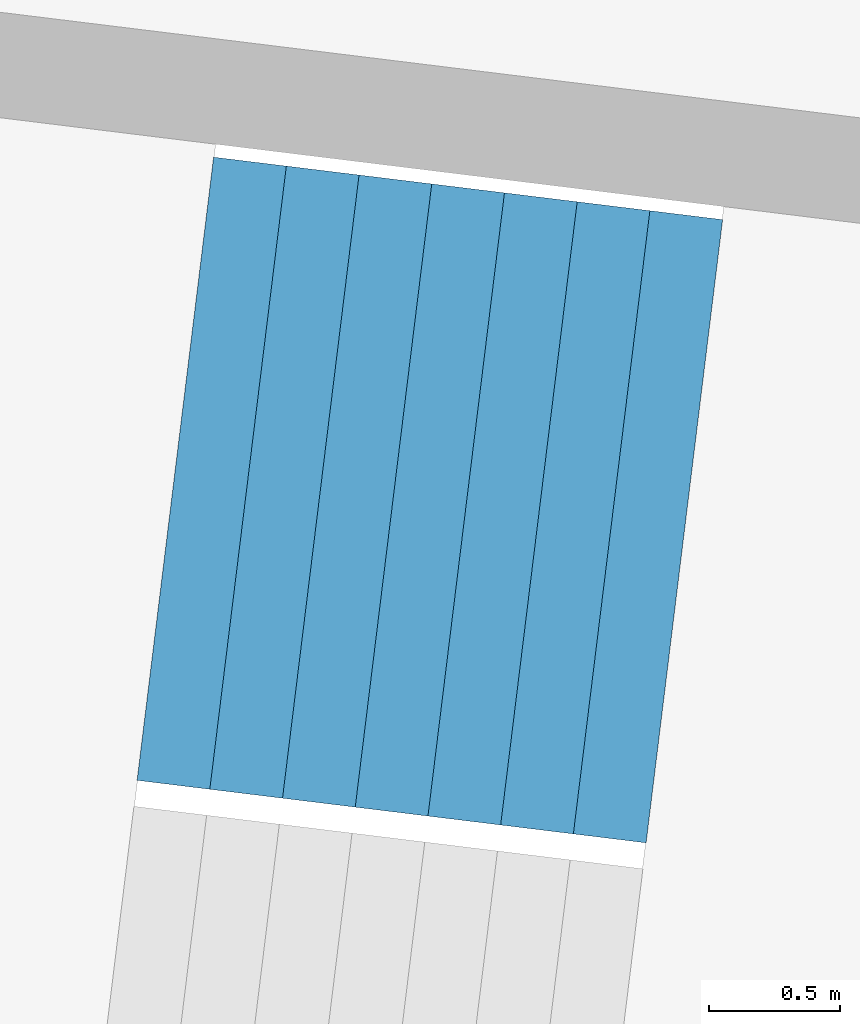
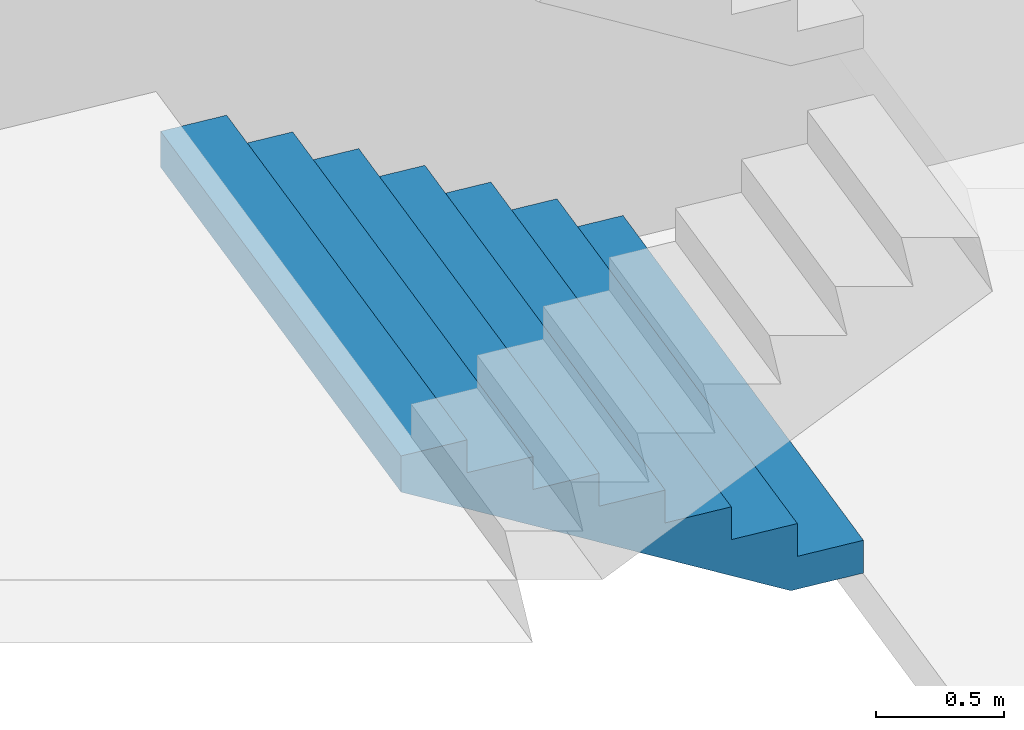
# One storey, part 29 of 73: 1 stair flight, 1 element without a shape of its own.
"""IFC4 building model written with IfcOpenShell, lengths in metres."""

from ifc_helpers import new_model, si_unit, direction, frame, origin, place, context, subcontext, project, spatial, triangles, material, type_object, element, aggregate, save


model = new_model("IFC4")

# Units and contexts
model_context = context("Model", 3, precision=1e-05, world=origin(), true_north=direction((0.0, 1.0)))
body_context = subcontext(model_context, "Body", "Model", "MODEL_VIEW")
ifc_project = project(units=[si_unit("LENGTHUNIT", "METRE"), si_unit("AREAUNIT", "SQUARE_METRE"), si_unit("VOLUMEUNIT", "CUBIC_METRE"), si_unit("PLANEANGLEUNIT", "RADIAN"), si_unit("MASSUNIT", "GRAM", prefix="KILO")], contexts=[model_context])

# Site, building, storey
site_placement = place(None, origin())
site = spatial("IfcSite", under=ifc_project, at=site_placement, CompositionType="ELEMENT")
building_placement = place(site_placement, origin())
building = spatial("IfcBuilding", under=site, at=building_placement, Name="Lantaw Convention Tower", CompositionType="ELEMENT")
storey_placement = place(building_placement, frame((0.0, 0.0, 27.0)))
storey = spatial("IfcBuildingStorey", under=building, at=storey_placement, Name="L04", CompositionType="ELEMENT", Elevation=27.0)

# Stair, stair flight
ifc_material = material(Name="Concrete C35/45", Category="concrete")
stair_type = type_object("IfcStairType", Name="Exit stair 2400 riser 156.25 in 4 flights", PredefinedType="HALF_TURN_STAIR", material=ifc_material)
stair_placement = place(storey_placement, origin())
stair = element("IfcStair", 1, at=stair_placement, inside=storey, type_object=stair_type, Name="Podium exit stair P9 L04", PredefinedType="HALF_TURN_STAIR")
stair_flight_type = type_object("IfcStairFlightType", Name="Stair flight 2400 riser 156.25", PredefinedType="STRAIGHT", material=ifc_material)
stair_flight_placement = place(storey_placement, frame((-37.9716796875, 5.921630859375, 0.0), z_axis=(0.0, 0.0, 1.0), x_axis=(-0.992546151641, 0.121869343405, 0.0)))
stair_flight = element("IfcStairFlight", 2, at=stair_flight_placement, type_object=stair_flight_type, Name="P9 flight 1", NumberOfRisers=8, NumberOfTreads=7, PredefinedType="STRAIGHT", RiserHeight=0.15625, TreadLength=0.28, context=body_context, shape_type="Tessellation", body=[
    triangles([(0.0, 1.199951171875, 0.0), (0.0, 1.199951171875, 0.15625), (0.28, 1.199951171875, 0.0), (0.28, 1.199951171875, 0.15625), (0.28, 1.199951171875, 0.3125), (0.3076200632058044, 1.199951171875, 0.0), (0.3076200632058044, 1.199951171875, 0.3125), (0.56, 1.199951171875, 0.14083701830033238), (0.56, 1.199951171875, 0.3125), (0.56, 1.199951171875, 0.46875), (0.8400000000000001, 1.199951171875, 0.29708701830033235), (0.8400000000000001, 1.199951171875, 0.46875), (0.8400000000000001, 1.199951171875, 0.625), (1.12, 1.199951171875, 0.45333701830033235), (1.12, 1.199951171875, 0.625), (1.12, 1.199951171875, 0.78125), (1.4000000000000001, 1.199951171875, 0.6095870183003324), (1.4000000000000001, 1.199951171875, 0.78125), (1.4000000000000001, 1.199951171875, 0.9375), (1.6800000000000002, 1.199951171875, 0.7658370183003324), (1.6800000000000002, 1.199951171875, 0.9375), (1.6800000000000002, 1.199951171875, 1.09375), (1.9600000000000002, 1.199951171875, 0.9220870183003324), (1.9600000000000002, 1.199951171875, 1.09375), (0.0, -1.199951171875, 0.0), (0.0, -1.199951171875, 0.15625), (0.28, -1.199951171875, 0.0), (0.28, -1.199951171875, 0.15625), (0.28, -1.199951171875, 0.3125), (0.3076200632058044, -1.199951171875, 0.0), (0.3076200632058044, -1.199951171875, 0.3125), (0.56, -1.199951171875, 0.14083701830033238), (0.56, -1.199951171875, 0.3125), (0.56, -1.199951171875, 0.46875), (0.8400000000000001, -1.199951171875, 0.29708701830033235), (0.8400000000000001, -1.199951171875, 0.46875), (0.8400000000000001, -1.199951171875, 0.625), (1.12, -1.199951171875, 0.45333701830033235), (1.12, -1.199951171875, 0.625), (1.12, -1.199951171875, 0.78125), (1.4000000000000001, -1.199951171875, 0.6095870183003324), (1.4000000000000001, -1.199951171875, 0.78125), (1.4000000000000001, -1.199951171875, 0.9375), (1.6800000000000002, -1.199951171875, 0.7658370183003324), (1.6800000000000002, -1.199951171875, 0.9375), (1.6800000000000002, -1.199951171875, 1.09375), (1.9600000000000002, -1.199951171875, 0.9220870183003324), (1.9600000000000002, -1.199951171875, 1.09375), (0.0, 0.239990234375, 0.15625), (0.0, 0.239990234375, 0.0), (0.0, 0.1919921875, 0.15625), (0.0, 0.1919921875, 0.0), (0.0, 0.143994140625, 0.15625), (0.0, 0.143994140625, 0.0), (0.0, 0.09599609375, 0.15625), (0.0, 0.09599609375, 0.0), (0.0, 0.047998046875, 0.15625), (0.0, 0.047998046875, 0.0), (0.0, 0.0, 0.15625), (0.0, 0.0, 0.0), (0.0, -0.047998046875, 0.15625), (0.0, -0.047998046875, 0.0), (0.0, -0.09599609375, 0.15625), (0.0, -0.09599609375, 0.0), (0.0, -0.143994140625, 0.15625), (0.0, -0.143994140625, 0.0), (0.0, -0.1919921875, 0.15625), (0.0, -0.1919921875, 0.0), (0.0, -0.239990234375, 0.15625), (0.0, -0.239990234375, 0.0), (0.28, 0.239990234375, 0.3125), (0.28, 0.239990234375, 0.15625), (0.28, 0.1919921875, 0.3125), (0.28, 0.1919921875, 0.15625), (0.28, 0.143994140625, 0.3125), (0.28, 0.143994140625, 0.15625), (0.28, 0.09599609375, 0.3125), (0.28, 0.09599609375, 0.15625), (0.28, 0.047998046875, 0.3125), (0.28, 0.047998046875, 0.15625), (0.28, 0.0, 0.3125), (0.28, 0.0, 0.15625), (0.28, -0.047998046875, 0.3125), (0.28, -0.047998046875, 0.15625), (0.28, -0.09599609375, 0.3125), (0.28, -0.09599609375, 0.15625), (0.28, -0.143994140625, 0.3125), (0.28, -0.143994140625, 0.15625), (0.28, -0.1919921875, 0.3125), (0.28, -0.1919921875, 0.15625), (0.28, -0.239990234375, 0.3125), (0.28, -0.239990234375, 0.15625), (0.56, 0.239990234375, 0.46875), (0.56, 0.239990234375, 0.3125), (0.56, 0.1919921875, 0.46875), (0.56, 0.1919921875, 0.3125), (0.56, 0.143994140625, 0.46875), (0.56, 0.143994140625, 0.3125), (0.56, 0.09599609375, 0.46875), (0.56, 0.09599609375, 0.3125), (0.56, 0.047998046875, 0.46875), (0.56, 0.047998046875, 0.3125), (0.56, 0.0, 0.46875), (0.56, 0.0, 0.3125), (0.56, -0.047998046875, 0.46875), (0.56, -0.047998046875, 0.3125), (0.56, -0.09599609375, 0.46875), (0.56, -0.09599609375, 0.3125), (0.56, -0.143994140625, 0.46875), (0.56, -0.143994140625, 0.3125), (0.56, -0.1919921875, 0.46875), (0.56, -0.1919921875, 0.3125), (0.56, -0.239990234375, 0.46875), (0.56, -0.239990234375, 0.3125), (0.8400000000000001, 0.239990234375, 0.625), (0.8400000000000001, 0.239990234375, 0.46875), (0.8400000000000001, 0.1919921875, 0.625), (0.8400000000000001, 0.1919921875, 0.46875), (0.8400000000000001, 0.143994140625, 0.625), (0.8400000000000001, 0.143994140625, 0.46875), (0.8400000000000001, 0.09599609375, 0.625), (0.8400000000000001, 0.09599609375, 0.46875), (0.8400000000000001, 0.047998046875, 0.625), (0.8400000000000001, 0.047998046875, 0.46875), (0.8400000000000001, 0.0, 0.625), (0.8400000000000001, 0.0, 0.46875), (0.8400000000000001, -0.047998046875, 0.625), (0.8400000000000001, -0.047998046875, 0.46875), (0.8400000000000001, -0.09599609375, 0.625), (0.8400000000000001, -0.09599609375, 0.46875), (0.8400000000000001, -0.143994140625, 0.625), (0.8400000000000001, -0.143994140625, 0.46875), (0.8400000000000001, -0.1919921875, 0.625), (0.8400000000000001, -0.1919921875, 0.46875), (0.8400000000000001, -0.239990234375, 0.625), (0.8400000000000001, -0.239990234375, 0.46875), (1.12, 0.239990234375, 0.78125), (1.12, 0.239990234375, 0.625), (1.12, 0.1919921875, 0.78125), (1.12, 0.1919921875, 0.625), (1.12, 0.143994140625, 0.78125), (1.12, 0.143994140625, 0.625), (1.12, 0.09599609375, 0.78125), (1.12, 0.09599609375, 0.625), (1.12, 0.047998046875, 0.78125), (1.12, 0.047998046875, 0.625), (1.12, 0.0, 0.78125), (1.12, 0.0, 0.625), (1.12, -0.047998046875, 0.78125), (1.12, -0.047998046875, 0.625), (1.12, -0.09599609375, 0.78125), (1.12, -0.09599609375, 0.625), (1.12, -0.143994140625, 0.78125), (1.12, -0.143994140625, 0.625), (1.12, -0.1919921875, 0.78125), (1.12, -0.1919921875, 0.625), (1.12, -0.239990234375, 0.78125), (1.12, -0.239990234375, 0.625), (1.4000000000000001, 0.239990234375, 0.9375), (1.4000000000000001, 0.239990234375, 0.78125), (1.4000000000000001, 0.1919921875, 0.9375), (1.4000000000000001, 0.1919921875, 0.78125), (1.4000000000000001, 0.143994140625, 0.9375), (1.4000000000000001, 0.143994140625, 0.78125), (1.4000000000000001, 0.09599609375, 0.9375), (1.4000000000000001, 0.09599609375, 0.78125), (1.4000000000000001, 0.047998046875, 0.9375), (1.4000000000000001, 0.047998046875, 0.78125), (1.4000000000000001, 0.0, 0.9375), (1.4000000000000001, 0.0, 0.78125), (1.4000000000000001, -0.047998046875, 0.9375), (1.4000000000000001, -0.047998046875, 0.78125), (1.4000000000000001, -0.09599609375, 0.9375), (1.4000000000000001, -0.09599609375, 0.78125), (1.4000000000000001, -0.143994140625, 0.9375), (1.4000000000000001, -0.143994140625, 0.78125), (1.4000000000000001, -0.1919921875, 0.9375), (1.4000000000000001, -0.1919921875, 0.78125), (1.4000000000000001, -0.239990234375, 0.9375), (1.4000000000000001, -0.239990234375, 0.78125), (1.6800000000000002, 0.239990234375, 1.09375), (1.6800000000000002, 0.239990234375, 0.9375), (1.6800000000000002, 0.1919921875, 1.09375), (1.6800000000000002, 0.1919921875, 0.9375), (1.6800000000000002, 0.143994140625, 1.09375), (1.6800000000000002, 0.143994140625, 0.9375), (1.6800000000000002, 0.09599609375, 1.09375), (1.6800000000000002, 0.09599609375, 0.9375), (1.6800000000000002, 0.047998046875, 1.09375), (1.6800000000000002, 0.047998046875, 0.9375), (1.6800000000000002, 0.0, 1.09375), (1.6800000000000002, 0.0, 0.9375), (1.6800000000000002, -0.047998046875, 1.09375), (1.6800000000000002, -0.047998046875, 0.9375), (1.6800000000000002, -0.09599609375, 1.09375), (1.6800000000000002, -0.09599609375, 0.9375), (1.6800000000000002, -0.143994140625, 1.09375), (1.6800000000000002, -0.143994140625, 0.9375), (1.6800000000000002, -0.1919921875, 1.09375), (1.6800000000000002, -0.1919921875, 0.9375), (1.6800000000000002, -0.239990234375, 1.09375), (1.6800000000000002, -0.239990234375, 0.9375), (0.3076200632058044, 0.239990234375, 0.3125), (0.3076200632058044, 0.1919921875, 0.3125), (0.3076200632058044, 0.143994140625, 0.3125), (0.3076200632058044, 0.09599609375, 0.3125), (0.3076200632058044, 0.047998046875, 0.3125), (0.3076200632058044, 0.0, 0.3125), (0.3076200632058044, -0.047998046875, 0.3125), (0.3076200632058044, -0.09599609375, 0.3125), (0.3076200632058044, -0.143994140625, 0.3125), (0.3076200632058044, -0.1919921875, 0.3125), (0.3076200632058044, -0.239990234375, 0.3125), (1.9600000000000002, 0.239990234375, 1.09375), (1.9600000000000002, 0.1919921875, 1.09375), (1.9600000000000002, 0.143994140625, 1.09375), (1.9600000000000002, 0.09599609375, 1.09375), (1.9600000000000002, 0.047998046875, 1.09375), (1.9600000000000002, 0.0, 1.09375), (1.9600000000000002, -0.047998046875, 1.09375), (1.9600000000000002, -0.09599609375, 1.09375), (1.9600000000000002, -0.143994140625, 1.09375), (1.9600000000000002, -0.1919921875, 1.09375), (1.9600000000000002, -0.239990234375, 1.09375), (1.9600000000000002, 0.239990234375, 0.9220870183003324), (1.9600000000000002, 0.1919921875, 0.9220870183003324), (1.9600000000000002, 0.143994140625, 0.9220870183003324), (1.9600000000000002, 0.09599609375, 0.9220870183003324), (1.9600000000000002, 0.047998046875, 0.9220870183003324), (1.9600000000000002, 0.0, 0.9220870183003324), (1.9600000000000002, -0.047998046875, 0.9220870183003324), (1.9600000000000002, -0.09599609375, 0.9220870183003324), (1.9600000000000002, -0.143994140625, 0.9220870183003324), (1.9600000000000002, -0.1919921875, 0.9220870183003324), (1.9600000000000002, -0.239990234375, 0.9220870183003324), (1.6800000000000002, 0.239990234375, 0.7658370183003324), (1.6800000000000002, 0.1919921875, 0.7658370183003324), (1.6800000000000002, 0.143994140625, 0.7658370183003324), (1.6800000000000002, 0.09599609375, 0.7658370183003324), (1.6800000000000002, 0.047998046875, 0.7658370183003324), (1.6800000000000002, 0.0, 0.7658370183003324), (1.6800000000000002, -0.047998046875, 0.7658370183003324), (1.6800000000000002, -0.09599609375, 0.7658370183003324), (1.6800000000000002, -0.143994140625, 0.7658370183003324), (1.6800000000000002, -0.1919921875, 0.7658370183003324), (1.6800000000000002, -0.239990234375, 0.7658370183003324), (1.4000000000000001, 0.239990234375, 0.6095870183003324), (1.4000000000000001, 0.1919921875, 0.6095870183003324), (1.4000000000000001, 0.143994140625, 0.6095870183003324), (1.4000000000000001, 0.09599609375, 0.6095870183003324), (1.4000000000000001, 0.047998046875, 0.6095870183003324), (1.4000000000000001, 0.0, 0.6095870183003324), (1.4000000000000001, -0.047998046875, 0.6095870183003324), (1.4000000000000001, -0.09599609375, 0.6095870183003324), (1.4000000000000001, -0.143994140625, 0.6095870183003324), (1.4000000000000001, -0.1919921875, 0.6095870183003324), (1.4000000000000001, -0.239990234375, 0.6095870183003324), (1.12, 0.239990234375, 0.45333701830033235), (1.12, 0.1919921875, 0.45333701830033235), (1.12, 0.143994140625, 0.45333701830033235), (1.12, 0.09599609375, 0.45333701830033235), (1.12, 0.047998046875, 0.45333701830033235), (1.12, 0.0, 0.45333701830033235), (1.12, -0.047998046875, 0.45333701830033235), (1.12, -0.09599609375, 0.45333701830033235), (1.12, -0.143994140625, 0.45333701830033235), (1.12, -0.1919921875, 0.45333701830033235), (1.12, -0.239990234375, 0.45333701830033235), (0.8400000000000001, 0.239990234375, 0.29708701830033235), (0.8400000000000001, 0.1919921875, 0.29708701830033235), (0.8400000000000001, 0.143994140625, 0.29708701830033235), (0.8400000000000001, 0.09599609375, 0.29708701830033235), (0.8400000000000001, 0.047998046875, 0.29708701830033235), (0.8400000000000001, 0.0, 0.29708701830033235), (0.8400000000000001, -0.047998046875, 0.29708701830033235), (0.8400000000000001, -0.09599609375, 0.29708701830033235), (0.8400000000000001, -0.143994140625, 0.29708701830033235), (0.8400000000000001, -0.1919921875, 0.29708701830033235), (0.8400000000000001, -0.239990234375, 0.29708701830033235), (0.56, 0.239990234375, 0.14083701830033238), (0.56, 0.1919921875, 0.14083701830033238), (0.56, 0.143994140625, 0.14083701830033238), (0.56, 0.09599609375, 0.14083701830033238), (0.56, 0.047998046875, 0.14083701830033238), (0.56, 0.0, 0.14083701830033238), (0.56, -0.047998046875, 0.14083701830033238), (0.56, -0.09599609375, 0.14083701830033238), (0.56, -0.143994140625, 0.14083701830033238), (0.56, -0.1919921875, 0.14083701830033238), (0.56, -0.239990234375, 0.14083701830033238), (0.3076200632058044, 0.239990234375, 0.0), (0.3076200632058044, 0.1919921875, 0.0), (0.3076200632058044, 0.143994140625, 0.0), (0.3076200632058044, 0.09599609375, 0.0), (0.3076200632058044, 0.047998046875, 0.0), (0.3076200632058044, 0.0, 0.0), (0.3076200632058044, -0.047998046875, 0.0), (0.3076200632058044, -0.09599609375, 0.0), (0.3076200632058044, -0.143994140625, 0.0), (0.3076200632058044, -0.1919921875, 0.0), (0.3076200632058044, -0.239990234375, 0.0), (0.28, 0.239990234375, 0.0), (0.28, 0.1919921875, 0.0), (0.28, 0.143994140625, 0.0), (0.28, 0.09599609375, 0.0), (0.28, 0.047998046875, 0.0), (0.28, 0.0, 0.0), (0.28, -0.047998046875, 0.0), (0.28, -0.09599609375, 0.0), (0.28, -0.143994140625, 0.0), (0.28, -0.1919921875, 0.0), (0.28, -0.239990234375, 0.0)], [[1, 4, 3], [1, 2, 4], [3, 4, 6], [4, 7, 6], [4, 5, 7], [6, 9, 8], [6, 7, 9], [8, 9, 11], [9, 12, 11], [9, 10, 12], [11, 12, 14], [12, 15, 14], [12, 13, 15], [14, 15, 17], [15, 18, 17], [15, 16, 18], [17, 18, 20], [18, 21, 20], [18, 19, 21], [20, 21, 23], [21, 24, 23], [21, 22, 24], [25, 27, 28], [25, 28, 26], [27, 30, 28], [28, 30, 31], [28, 31, 29], [30, 32, 33], [30, 33, 31], [32, 35, 33], [33, 35, 36], [33, 36, 34], [35, 38, 36], [36, 38, 39], [36, 39, 37], [38, 41, 39], [39, 41, 42], [39, 42, 40], [41, 44, 42], [42, 44, 45], [42, 45, 43], [44, 47, 45], [45, 47, 48], [45, 48, 46], [1, 49, 2], [1, 50, 49], [50, 51, 49], [50, 52, 51], [52, 53, 51], [52, 54, 53], [54, 55, 53], [54, 56, 55], [56, 57, 55], [56, 58, 57], [58, 59, 57], [58, 60, 59], [60, 61, 59], [60, 62, 61], [62, 63, 61], [62, 64, 63], [64, 65, 63], [64, 66, 65], [66, 67, 65], [66, 68, 67], [68, 69, 67], [68, 70, 69], [70, 26, 69], [70, 25, 26], [4, 71, 5], [4, 72, 71], [72, 73, 71], [72, 74, 73], [74, 75, 73], [74, 76, 75], [76, 77, 75], [76, 78, 77], [78, 79, 77], [78, 80, 79], [80, 81, 79], [80, 82, 81], [82, 83, 81], [82, 84, 83], [84, 85, 83], [84, 86, 85], [86, 87, 85], [86, 88, 87], [88, 89, 87], [88, 90, 89], [90, 91, 89], [90, 92, 91], [92, 29, 91], [92, 28, 29], [9, 93, 10], [9, 94, 93], [94, 95, 93], [94, 96, 95], [96, 97, 95], [96, 98, 97], [98, 99, 97], [98, 100, 99], [100, 101, 99], [100, 102, 101], [102, 103, 101], [102, 104, 103], [104, 105, 103], [104, 106, 105], [106, 107, 105], [106, 108, 107], [108, 109, 107], [108, 110, 109], [110, 111, 109], [110, 112, 111], [112, 113, 111], [112, 114, 113], [114, 34, 113], [114, 33, 34], [12, 115, 13], [12, 116, 115], [116, 117, 115], [116, 118, 117], [118, 119, 117], [118, 120, 119], [120, 121, 119], [120, 122, 121], [122, 123, 121], [122, 124, 123], [124, 125, 123], [124, 126, 125], [126, 127, 125], [126, 128, 127], [128, 129, 127], [128, 130, 129], [130, 131, 129], [130, 132, 131], [132, 133, 131], [132, 134, 133], [134, 135, 133], [134, 136, 135], [136, 37, 135], [136, 36, 37], [15, 137, 16], [15, 138, 137], [138, 139, 137], [138, 140, 139], [140, 141, 139], [140, 142, 141], [142, 143, 141], [142, 144, 143], [144, 145, 143], [144, 146, 145], [146, 147, 145], [146, 148, 147], [148, 149, 147], [148, 150, 149], [150, 151, 149], [150, 152, 151], [152, 153, 151], [152, 154, 153], [154, 155, 153], [154, 156, 155], [156, 157, 155], [156, 158, 157], [158, 40, 157], [158, 39, 40], [18, 159, 19], [18, 160, 159], [160, 161, 159], [160, 162, 161], [162, 163, 161], [162, 164, 163], [164, 165, 163], [164, 166, 165], [166, 167, 165], [166, 168, 167], [168, 169, 167], [168, 170, 169], [170, 171, 169], [170, 172, 171], [172, 173, 171], [172, 174, 173], [174, 175, 173], [174, 176, 175], [176, 177, 175], [176, 178, 177], [178, 179, 177], [178, 180, 179], [180, 43, 179], [180, 42, 43], [21, 181, 22], [21, 182, 181], [182, 183, 181], [182, 184, 183], [184, 185, 183], [184, 186, 185], [186, 187, 185], [186, 188, 187], [188, 189, 187], [188, 190, 189], [190, 191, 189], [190, 192, 191], [192, 193, 191], [192, 194, 193], [194, 195, 193], [194, 196, 195], [196, 197, 195], [196, 198, 197], [198, 199, 197], [198, 200, 199], [200, 201, 199], [200, 202, 201], [202, 46, 201], [202, 45, 46], [2, 72, 4], [2, 49, 72], [49, 74, 72], [49, 51, 74], [51, 76, 74], [51, 53, 76], [53, 78, 76], [53, 55, 78], [55, 80, 78], [55, 57, 80], [57, 82, 80], [57, 59, 82], [59, 84, 82], [59, 61, 84], [61, 86, 84], [61, 63, 86], [63, 88, 86], [63, 65, 88], [65, 90, 88], [65, 67, 90], [67, 92, 90], [67, 69, 92], [69, 28, 92], [69, 26, 28], [5, 203, 7], [5, 71, 203], [71, 204, 203], [71, 73, 204], [73, 205, 204], [73, 75, 205], [75, 206, 205], [75, 77, 206], [77, 207, 206], [77, 79, 207], [79, 208, 207], [79, 81, 208], [81, 209, 208], [81, 83, 209], [83, 210, 209], [83, 85, 210], [85, 211, 210], [85, 87, 211], [87, 212, 211], [87, 89, 212], [89, 213, 212], [89, 91, 213], [91, 31, 213], [91, 29, 31], [7, 94, 9], [7, 203, 94], [203, 96, 94], [203, 204, 96], [204, 98, 96], [204, 205, 98], [205, 100, 98], [205, 206, 100], [206, 102, 100], [206, 207, 102], [207, 104, 102], [207, 208, 104], [208, 106, 104], [208, 209, 106], [209, 108, 106], [209, 210, 108], [210, 110, 108], [210, 211, 110], [211, 112, 110], [211, 212, 112], [212, 114, 112], [212, 213, 114], [213, 33, 114], [213, 31, 33], [10, 116, 12], [10, 93, 116], [93, 118, 116], [93, 95, 118], [95, 120, 118], [95, 97, 120], [97, 122, 120], [97, 99, 122], [99, 124, 122], [99, 101, 124], [101, 126, 124], [101, 103, 126], [103, 128, 126], [103, 105, 128], [105, 130, 128], [105, 107, 130], [107, 132, 130], [107, 109, 132], [109, 134, 132], [109, 111, 134], [111, 136, 134], [111, 113, 136], [113, 36, 136], [113, 34, 36], [13, 138, 15], [13, 115, 138], [115, 140, 138], [115, 117, 140], [117, 142, 140], [117, 119, 142], [119, 144, 142], [119, 121, 144], [121, 146, 144], [121, 123, 146], [123, 148, 146], [123, 125, 148], [125, 150, 148], [125, 127, 150], [127, 152, 150], [127, 129, 152], [129, 154, 152], [129, 131, 154], [131, 156, 154], [131, 133, 156], [133, 158, 156], [133, 135, 158], [135, 39, 158], [135, 37, 39], [16, 160, 18], [16, 137, 160], [137, 162, 160], [137, 139, 162], [139, 164, 162], [139, 141, 164], [141, 166, 164], [141, 143, 166], [143, 168, 166], [143, 145, 168], [145, 170, 168], [145, 147, 170], [147, 172, 170], [147, 149, 172], [149, 174, 172], [149, 151, 174], [151, 176, 174], [151, 153, 176], [153, 178, 176], [153, 155, 178], [155, 180, 178], [155, 157, 180], [157, 42, 180], [157, 40, 42], [19, 182, 21], [19, 159, 182], [159, 184, 182], [159, 161, 184], [161, 186, 184], [161, 163, 186], [163, 188, 186], [163, 165, 188], [165, 190, 188], [165, 167, 190], [167, 192, 190], [167, 169, 192], [169, 194, 192], [169, 171, 194], [171, 196, 194], [171, 173, 196], [173, 198, 196], [173, 175, 198], [175, 200, 198], [175, 177, 200], [177, 202, 200], [177, 179, 202], [179, 45, 202], [179, 43, 45], [22, 214, 24], [22, 181, 214], [181, 215, 214], [181, 183, 215], [183, 216, 215], [183, 185, 216], [185, 217, 216], [185, 187, 217], [187, 218, 217], [187, 189, 218], [189, 219, 218], [189, 191, 219], [191, 220, 219], [191, 193, 220], [193, 221, 220], [193, 195, 221], [195, 222, 221], [195, 197, 222], [197, 223, 222], [197, 199, 223], [199, 224, 223], [199, 201, 224], [201, 48, 224], [201, 46, 48], [24, 225, 23], [24, 214, 225], [214, 226, 225], [214, 215, 226], [215, 227, 226], [215, 216, 227], [216, 228, 227], [216, 217, 228], [217, 229, 228], [217, 218, 229], [218, 230, 229], [218, 219, 230], [219, 231, 230], [219, 220, 231], [220, 232, 231], [220, 221, 232], [221, 233, 232], [221, 222, 233], [222, 234, 233], [222, 223, 234], [223, 235, 234], [223, 224, 235], [224, 47, 235], [224, 48, 47], [23, 236, 20], [23, 225, 236], [225, 237, 236], [225, 226, 237], [226, 238, 237], [226, 227, 238], [227, 239, 238], [227, 228, 239], [228, 240, 239], [228, 229, 240], [229, 241, 240], [229, 230, 241], [230, 242, 241], [230, 231, 242], [231, 243, 242], [231, 232, 243], [232, 244, 243], [232, 233, 244], [233, 245, 244], [233, 234, 245], [234, 246, 245], [234, 235, 246], [235, 44, 246], [235, 47, 44], [20, 247, 17], [20, 236, 247], [236, 248, 247], [236, 237, 248], [237, 249, 248], [237, 238, 249], [238, 250, 249], [238, 239, 250], [239, 251, 250], [239, 240, 251], [240, 252, 251], [240, 241, 252], [241, 253, 252], [241, 242, 253], [242, 254, 253], [242, 243, 254], [243, 255, 254], [243, 244, 255], [244, 256, 255], [244, 245, 256], [245, 257, 256], [245, 246, 257], [246, 41, 257], [246, 44, 41], [17, 258, 14], [17, 247, 258], [247, 259, 258], [247, 248, 259], [248, 260, 259], [248, 249, 260], [249, 261, 260], [249, 250, 261], [250, 262, 261], [250, 251, 262], [251, 263, 262], [251, 252, 263], [252, 264, 263], [252, 253, 264], [253, 265, 264], [253, 254, 265], [254, 266, 265], [254, 255, 266], [255, 267, 266], [255, 256, 267], [256, 268, 267], [256, 257, 268], [257, 38, 268], [257, 41, 38], [14, 269, 11], [14, 258, 269], [258, 270, 269], [258, 259, 270], [259, 271, 270], [259, 260, 271], [260, 272, 271], [260, 261, 272], [261, 273, 272], [261, 262, 273], [262, 274, 273], [262, 263, 274], [263, 275, 274], [263, 264, 275], [264, 276, 275], [264, 265, 276], [265, 277, 276], [265, 266, 277], [266, 278, 277], [266, 267, 278], [267, 279, 278], [267, 268, 279], [268, 35, 279], [268, 38, 35], [11, 280, 8], [11, 269, 280], [269, 281, 280], [269, 270, 281], [270, 282, 281], [270, 271, 282], [271, 283, 282], [271, 272, 283], [272, 284, 283], [272, 273, 284], [273, 285, 284], [273, 274, 285], [274, 286, 285], [274, 275, 286], [275, 287, 286], [275, 276, 287], [276, 288, 287], [276, 277, 288], [277, 289, 288], [277, 278, 289], [278, 290, 289], [278, 279, 290], [279, 32, 290], [279, 35, 32], [8, 291, 6], [8, 280, 291], [280, 292, 291], [280, 281, 292], [281, 293, 292], [281, 282, 293], [282, 294, 293], [282, 283, 294], [283, 295, 294], [283, 284, 295], [284, 296, 295], [284, 285, 296], [285, 297, 296], [285, 286, 297], [286, 298, 297], [286, 287, 298], [287, 299, 298], [287, 288, 299], [288, 300, 299], [288, 289, 300], [289, 301, 300], [289, 290, 301], [290, 30, 301], [290, 32, 30], [6, 302, 3], [6, 291, 302], [291, 303, 302], [291, 292, 303], [292, 304, 303], [292, 293, 304], [293, 305, 304], [293, 294, 305], [294, 306, 305], [294, 295, 306], [295, 307, 306], [295, 296, 307], [296, 308, 307], [296, 297, 308], [297, 309, 308], [297, 298, 309], [298, 310, 309], [298, 299, 310], [299, 311, 310], [299, 300, 311], [300, 312, 311], [300, 301, 312], [301, 27, 312], [301, 30, 27], [3, 50, 1], [3, 302, 50], [302, 52, 50], [302, 303, 52], [303, 54, 52], [303, 304, 54], [304, 56, 54], [304, 305, 56], [305, 58, 56], [305, 306, 58], [306, 60, 58], [306, 307, 60], [307, 62, 60], [307, 308, 62], [308, 64, 62], [308, 309, 64], [309, 66, 64], [309, 310, 66], [310, 68, 66], [310, 311, 68], [311, 70, 68], [311, 312, 70], [312, 25, 70], [312, 27, 25]], closed=True),
])
aggregate(stair, [stair_flight])

save(model, "model.ifc")
